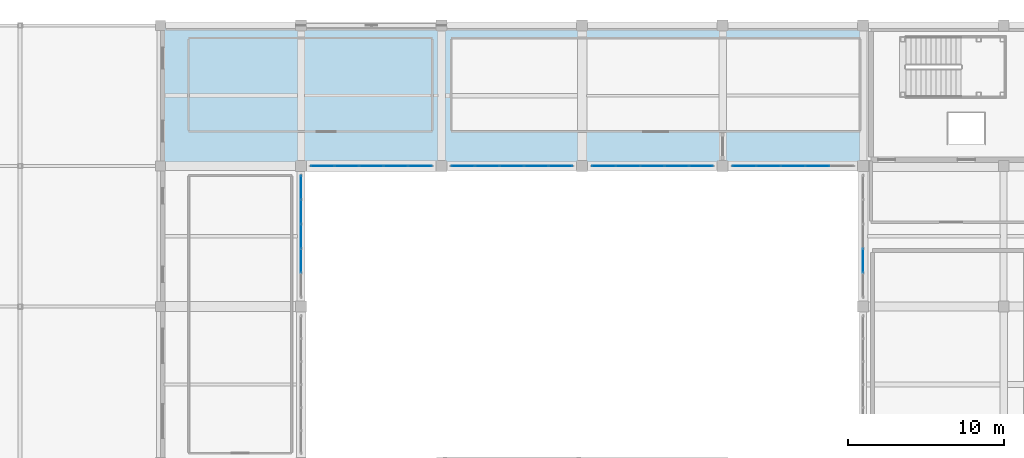
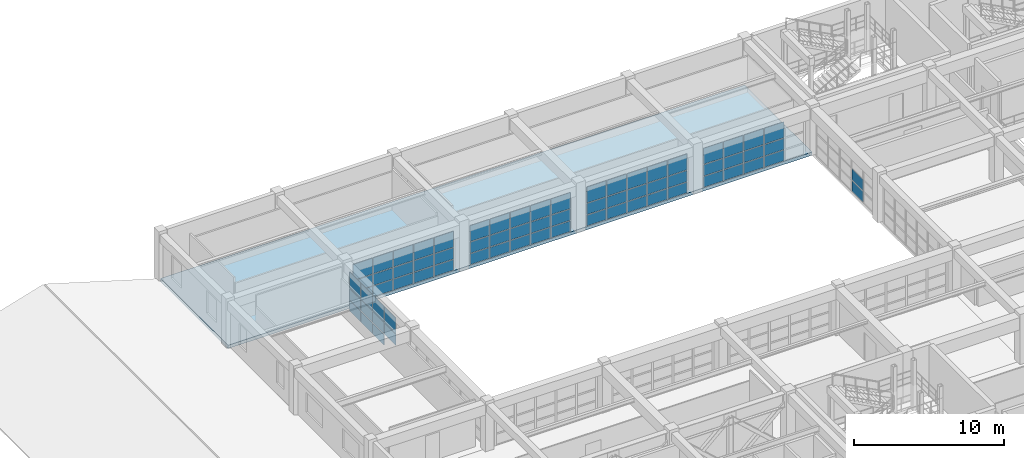
# One storey, part 96 of 130: 70 plates, 1 slab, 6 elements without a shape of their own.
"""IFC4 building model written with IfcOpenShell, lengths in metres."""

from ifc_helpers import new_model, si_unit, direction, frame, origin, origin_2d, place, context, subcontext, project, spatial, polyline, rectangle, outline, extrude, material, layer, layer_set, type_object, element, aggregate, save


model = new_model("IFC4")

# Units and contexts
model_context = context("Model", 3, precision=1e-05, world=origin(), true_north=direction((0.0, 1.0)))
body_context = subcontext(model_context, "Body", "Model", "MODEL_VIEW")
ifc_project = project(units=[si_unit("LENGTHUNIT", "METRE"), si_unit("AREAUNIT", "SQUARE_METRE"), si_unit("VOLUMEUNIT", "CUBIC_METRE"), si_unit("PLANEANGLEUNIT", "RADIAN"), si_unit("MASSUNIT", "GRAM", prefix="KILO")], contexts=[model_context])

# Site, building, storey
site_placement = place(None, origin())
site = spatial("IfcSite", under=ifc_project, at=site_placement, CompositionType="ELEMENT")
building_placement = place(site_placement, origin())
building = spatial("IfcBuilding", under=site, at=building_placement, Name="Miravela Opera House", CompositionType="ELEMENT")
storey_placement = place(building_placement, frame((0.0, 0.0, 9.52001953125)))
storey = spatial("IfcBuildingStorey", under=building, at=storey_placement, Name="L02", CompositionType="ELEMENT", Elevation=9.52001953125)

# Curtain wall, plates
ifc_material_1 = material(Name="Anodised architectural bronze aluminium 6063-T6", Category="aluminium")
curtain_wall_type = type_object("IfcCurtainWallType", Name="ARC-CW-05", PredefinedType="NOTDEFINED", material=ifc_material_1)
curtain_wall_1_placement = place(storey_placement, origin())
curtain_wall_1 = element("IfcCurtainWall", 1, at=curtain_wall_1_placement, inside=storey, type_object=curtain_wall_type, Name="Courtyard Arcade Curtain Wall CW-L02-090", PredefinedType="NOTDEFINED")
ifc_material_2 = material(Name="Acoustic laminated low-E insulating glass", Category="glass")
ifc_layer_1 = layer(ifc_material_2, 0.028076171875)
ifc_layer_set_1 = layer_set([ifc_layer_1])
plate_type = type_object("IfcPlateType", Name="ARC-CWP-28", PredefinedType="CURTAIN_PANEL", material=ifc_layer_set_1)
plate_1_placement = place(storey_placement, frame((28.37890625, 103.0, 0.06005859375), z_axis=(0.0, 0.0, 1.0), x_axis=(1.0, 0.0, 0.0)))
plate_1 = element("IfcPlate", 2, at=plate_1_placement, type_object=plate_type, Name="CW-05 panel 1.1", PredefinedType="CURTAIN_PANEL", context=body_context, shape_type="SweptSolid", body=[
    extrude(rectangle(XDim=1.47802734375, YDim=0.028076171875, at=origin_2d()), origin(), (0.0, 0.0, 1.0), 0.860107421875),
])
plate_2_placement = place(storey_placement, frame((28.37890625, 103.0, 0.97998046875), z_axis=(0.0, 0.0, 1.0), x_axis=(1.0, 0.0, 0.0)))
plate_2 = element("IfcPlate", 3, at=plate_2_placement, type_object=plate_type, Name="CW-05 panel 1.2", PredefinedType="CURTAIN_PANEL", context=body_context, shape_type="SweptSolid", body=[
    extrude(rectangle(XDim=1.47802734375, YDim=0.028076171875, at=origin_2d()), origin(), (0.0, 0.0, 1.0), 0.898193359375),
])
plate_3_placement = place(storey_placement, frame((28.37890625, 103.0, 1.93798828125), z_axis=(0.0, 0.0, 1.0), x_axis=(1.0, 0.0, 0.0)))
plate_3 = element("IfcPlate", 4, at=plate_3_placement, type_object=plate_type, Name="CW-05 panel 1.3", PredefinedType="CURTAIN_PANEL", context=body_context, shape_type="SweptSolid", body=[
    extrude(rectangle(XDim=1.47802734375, YDim=0.028076171875, at=origin_2d()), origin(), (0.0, 0.0, 1.0), 1.291748046875),
])
plate_4_placement = place(storey_placement, frame((29.931884765625, 103.0, 0.06005859375), z_axis=(0.0, 0.0, 1.0), x_axis=(1.0, 0.0, 0.0)))
plate_4 = element("IfcPlate", 5, at=plate_4_placement, type_object=plate_type, Name="CW-05 panel 2.1", PredefinedType="CURTAIN_PANEL", context=body_context, shape_type="SweptSolid", body=[
    extrude(rectangle(XDim=1.508056640625, YDim=0.028076171875, at=origin_2d()), origin(), (0.0, 0.0, 1.0), 0.860107421875),
])
plate_5_placement = place(storey_placement, frame((29.931884765625, 103.0, 0.97998046875), z_axis=(0.0, 0.0, 1.0), x_axis=(1.0, 0.0, 0.0)))
plate_5 = element("IfcPlate", 6, at=plate_5_placement, type_object=plate_type, Name="CW-05 panel 2.2", PredefinedType="CURTAIN_PANEL", context=body_context, shape_type="SweptSolid", body=[
    extrude(rectangle(XDim=1.508056640625, YDim=0.028076171875, at=origin_2d()), origin(), (0.0, 0.0, 1.0), 0.898193359375),
])
plate_6_placement = place(storey_placement, frame((29.931884765625, 103.0, 1.93798828125), z_axis=(0.0, 0.0, 1.0), x_axis=(1.0, 0.0, 0.0)))
plate_6 = element("IfcPlate", 7, at=plate_6_placement, type_object=plate_type, Name="CW-05 panel 2.3", PredefinedType="CURTAIN_PANEL", context=body_context, shape_type="SweptSolid", body=[
    extrude(rectangle(XDim=1.508056640625, YDim=0.028076171875, at=origin_2d()), origin(), (0.0, 0.0, 1.0), 1.291748046875),
])
plate_7_placement = place(storey_placement, frame((31.5, 103.0, 0.06005859375), z_axis=(0.0, 0.0, 1.0), x_axis=(1.0, 0.0, 0.0)))
plate_7 = element("IfcPlate", 8, at=plate_7_placement, type_object=plate_type, Name="CW-05 panel 3.1", PredefinedType="CURTAIN_PANEL", context=body_context, shape_type="SweptSolid", body=[
    extrude(rectangle(XDim=1.508056640625, YDim=0.028076171875, at=origin_2d()), origin(), (0.0, 0.0, 1.0), 0.860107421875),
])
plate_8_placement = place(storey_placement, frame((31.5, 103.0, 0.97998046875), z_axis=(0.0, 0.0, 1.0), x_axis=(1.0, 0.0, 0.0)))
plate_8 = element("IfcPlate", 9, at=plate_8_placement, type_object=plate_type, Name="CW-05 panel 3.2", PredefinedType="CURTAIN_PANEL", context=body_context, shape_type="SweptSolid", body=[
    extrude(rectangle(XDim=1.508056640625, YDim=0.028076171875, at=origin_2d()), origin(), (0.0, 0.0, 1.0), 0.898193359375),
])
plate_9_placement = place(storey_placement, frame((31.5, 103.0, 1.93798828125), z_axis=(0.0, 0.0, 1.0), x_axis=(1.0, 0.0, 0.0)))
plate_9 = element("IfcPlate", 10, at=plate_9_placement, type_object=plate_type, Name="CW-05 panel 3.3", PredefinedType="CURTAIN_PANEL", context=body_context, shape_type="SweptSolid", body=[
    extrude(rectangle(XDim=1.508056640625, YDim=0.028076171875, at=origin_2d()), origin(), (0.0, 0.0, 1.0), 1.291748046875),
])
plate_10_placement = place(storey_placement, frame((33.068115234375, 103.0, 0.06005859375), z_axis=(0.0, 0.0, 1.0), x_axis=(1.0, 0.0, 0.0)))
plate_10 = element("IfcPlate", 11, at=plate_10_placement, type_object=plate_type, Name="CW-05 panel 4.1", PredefinedType="CURTAIN_PANEL", context=body_context, shape_type="SweptSolid", body=[
    extrude(rectangle(XDim=1.508056640625, YDim=0.028076171875, at=origin_2d()), origin(), (0.0, 0.0, 1.0), 0.860107421875),
])
plate_11_placement = place(storey_placement, frame((33.068115234375, 103.0, 0.97998046875), z_axis=(0.0, 0.0, 1.0), x_axis=(1.0, 0.0, 0.0)))
plate_11 = element("IfcPlate", 12, at=plate_11_placement, type_object=plate_type, Name="CW-05 panel 4.2", PredefinedType="CURTAIN_PANEL", context=body_context, shape_type="SweptSolid", body=[
    extrude(rectangle(XDim=1.508056640625, YDim=0.028076171875, at=origin_2d()), origin(), (0.0, 0.0, 1.0), 0.898193359375),
])
plate_12_placement = place(storey_placement, frame((33.068115234375, 103.0, 1.93798828125), z_axis=(0.0, 0.0, 1.0), x_axis=(1.0, 0.0, 0.0)))
plate_12 = element("IfcPlate", 13, at=plate_12_placement, type_object=plate_type, Name="CW-05 panel 4.3", PredefinedType="CURTAIN_PANEL", context=body_context, shape_type="SweptSolid", body=[
    extrude(rectangle(XDim=1.508056640625, YDim=0.028076171875, at=origin_2d()), origin(), (0.0, 0.0, 1.0), 1.291748046875),
])
plate_13_placement = place(storey_placement, frame((34.62109375, 103.0, 0.06005859375), z_axis=(0.0, 0.0, 1.0), x_axis=(1.0, 0.0, 0.0)))
plate_13 = element("IfcPlate", 14, at=plate_13_placement, type_object=plate_type, Name="CW-05 panel 5.1", PredefinedType="CURTAIN_PANEL", context=body_context, shape_type="SweptSolid", body=[
    extrude(rectangle(XDim=1.47802734375, YDim=0.028076171875, at=origin_2d()), origin(), (0.0, 0.0, 1.0), 0.860107421875),
])
plate_14_placement = place(storey_placement, frame((34.62109375, 103.0, 0.97998046875), z_axis=(0.0, 0.0, 1.0), x_axis=(1.0, 0.0, 0.0)))
plate_14 = element("IfcPlate", 15, at=plate_14_placement, type_object=plate_type, Name="CW-05 panel 5.2", PredefinedType="CURTAIN_PANEL", context=body_context, shape_type="SweptSolid", body=[
    extrude(rectangle(XDim=1.47802734375, YDim=0.028076171875, at=origin_2d()), origin(), (0.0, 0.0, 1.0), 0.898193359375),
])
plate_15_placement = place(storey_placement, frame((34.62109375, 103.0, 1.93798828125), z_axis=(0.0, 0.0, 1.0), x_axis=(1.0, 0.0, 0.0)))
plate_15 = element("IfcPlate", 16, at=plate_15_placement, type_object=plate_type, Name="CW-05 panel 5.3", PredefinedType="CURTAIN_PANEL", context=body_context, shape_type="SweptSolid", body=[
    extrude(rectangle(XDim=1.47802734375, YDim=0.028076171875, at=origin_2d()), origin(), (0.0, 0.0, 1.0), 1.291748046875),
])
aggregate(curtain_wall_1, [plate_1, plate_2, plate_3, plate_4, plate_5, plate_6, plate_7, plate_8, plate_9, plate_10, plate_11, plate_12, plate_13, plate_14, plate_15])

curtain_wall_2_placement = place(storey_placement, origin())
curtain_wall_2 = element("IfcCurtainWall", 17, at=curtain_wall_2_placement, inside=storey, type_object=curtain_wall_type, Name="Courtyard Arcade Curtain Wall CW-L02-092", PredefinedType="NOTDEFINED")
plate_16_placement = place(storey_placement, frame((37.37890625, 103.0, 0.06005859375), z_axis=(0.0, 0.0, 1.0), x_axis=(1.0, 0.0, 0.0)))
plate_16 = element("IfcPlate", 18, at=plate_16_placement, type_object=plate_type, Name="CW-05 panel 1.1", PredefinedType="CURTAIN_PANEL", context=body_context, shape_type="SweptSolid", body=[
    extrude(rectangle(XDim=1.47802734375, YDim=0.028076171875, at=origin_2d()), origin(), (0.0, 0.0, 1.0), 0.860107421875),
])
plate_17_placement = place(storey_placement, frame((37.37890625, 103.0, 0.97998046875), z_axis=(0.0, 0.0, 1.0), x_axis=(1.0, 0.0, 0.0)))
plate_17 = element("IfcPlate", 19, at=plate_17_placement, type_object=plate_type, Name="CW-05 panel 1.2", PredefinedType="CURTAIN_PANEL", context=body_context, shape_type="SweptSolid", body=[
    extrude(rectangle(XDim=1.47802734375, YDim=0.028076171875, at=origin_2d()), origin(), (0.0, 0.0, 1.0), 0.898193359375),
])
plate_18_placement = place(storey_placement, frame((37.37890625, 103.0, 1.93798828125), z_axis=(0.0, 0.0, 1.0), x_axis=(1.0, 0.0, 0.0)))
plate_18 = element("IfcPlate", 20, at=plate_18_placement, type_object=plate_type, Name="CW-05 panel 1.3", PredefinedType="CURTAIN_PANEL", context=body_context, shape_type="SweptSolid", body=[
    extrude(rectangle(XDim=1.47802734375, YDim=0.028076171875, at=origin_2d()), origin(), (0.0, 0.0, 1.0), 1.291748046875),
])
plate_19_placement = place(storey_placement, frame((38.931884765625, 103.0, 0.06005859375), z_axis=(0.0, 0.0, 1.0), x_axis=(1.0, 0.0, 0.0)))
plate_19 = element("IfcPlate", 21, at=plate_19_placement, type_object=plate_type, Name="CW-05 panel 2.1", PredefinedType="CURTAIN_PANEL", context=body_context, shape_type="SweptSolid", body=[
    extrude(rectangle(XDim=1.508056640625, YDim=0.028076171875, at=origin_2d()), origin(), (0.0, 0.0, 1.0), 0.860107421875),
])
plate_20_placement = place(storey_placement, frame((38.931884765625, 103.0, 0.97998046875), z_axis=(0.0, 0.0, 1.0), x_axis=(1.0, 0.0, 0.0)))
plate_20 = element("IfcPlate", 22, at=plate_20_placement, type_object=plate_type, Name="CW-05 panel 2.2", PredefinedType="CURTAIN_PANEL", context=body_context, shape_type="SweptSolid", body=[
    extrude(rectangle(XDim=1.508056640625, YDim=0.028076171875, at=origin_2d()), origin(), (0.0, 0.0, 1.0), 0.898193359375),
])
plate_21_placement = place(storey_placement, frame((38.931884765625, 103.0, 1.93798828125), z_axis=(0.0, 0.0, 1.0), x_axis=(1.0, 0.0, 0.0)))
plate_21 = element("IfcPlate", 23, at=plate_21_placement, type_object=plate_type, Name="CW-05 panel 2.3", PredefinedType="CURTAIN_PANEL", context=body_context, shape_type="SweptSolid", body=[
    extrude(rectangle(XDim=1.508056640625, YDim=0.028076171875, at=origin_2d()), origin(), (0.0, 0.0, 1.0), 1.291748046875),
])
plate_22_placement = place(storey_placement, frame((40.5, 103.0, 0.06005859375), z_axis=(0.0, 0.0, 1.0), x_axis=(1.0, 0.0, 0.0)))
plate_22 = element("IfcPlate", 24, at=plate_22_placement, type_object=plate_type, Name="CW-05 panel 3.1", PredefinedType="CURTAIN_PANEL", context=body_context, shape_type="SweptSolid", body=[
    extrude(rectangle(XDim=1.508056640625, YDim=0.028076171875, at=origin_2d()), origin(), (0.0, 0.0, 1.0), 0.860107421875),
])
plate_23_placement = place(storey_placement, frame((40.5, 103.0, 0.97998046875), z_axis=(0.0, 0.0, 1.0), x_axis=(1.0, 0.0, 0.0)))
plate_23 = element("IfcPlate", 25, at=plate_23_placement, type_object=plate_type, Name="CW-05 panel 3.2", PredefinedType="CURTAIN_PANEL", context=body_context, shape_type="SweptSolid", body=[
    extrude(rectangle(XDim=1.508056640625, YDim=0.028076171875, at=origin_2d()), origin(), (0.0, 0.0, 1.0), 0.898193359375),
])
plate_24_placement = place(storey_placement, frame((40.5, 103.0, 1.93798828125), z_axis=(0.0, 0.0, 1.0), x_axis=(1.0, 0.0, 0.0)))
plate_24 = element("IfcPlate", 26, at=plate_24_placement, type_object=plate_type, Name="CW-05 panel 3.3", PredefinedType="CURTAIN_PANEL", context=body_context, shape_type="SweptSolid", body=[
    extrude(rectangle(XDim=1.508056640625, YDim=0.028076171875, at=origin_2d()), origin(), (0.0, 0.0, 1.0), 1.291748046875),
])
plate_25_placement = place(storey_placement, frame((42.068115234375, 103.0, 0.06005859375), z_axis=(0.0, 0.0, 1.0), x_axis=(1.0, 0.0, 0.0)))
plate_25 = element("IfcPlate", 27, at=plate_25_placement, type_object=plate_type, Name="CW-05 panel 4.1", PredefinedType="CURTAIN_PANEL", context=body_context, shape_type="SweptSolid", body=[
    extrude(rectangle(XDim=1.508056640625, YDim=0.028076171875, at=origin_2d()), origin(), (0.0, 0.0, 1.0), 0.860107421875),
])
plate_26_placement = place(storey_placement, frame((42.068115234375, 103.0, 0.97998046875), z_axis=(0.0, 0.0, 1.0), x_axis=(1.0, 0.0, 0.0)))
plate_26 = element("IfcPlate", 28, at=plate_26_placement, type_object=plate_type, Name="CW-05 panel 4.2", PredefinedType="CURTAIN_PANEL", context=body_context, shape_type="SweptSolid", body=[
    extrude(rectangle(XDim=1.508056640625, YDim=0.028076171875, at=origin_2d()), origin(), (0.0, 0.0, 1.0), 0.898193359375),
])
plate_27_placement = place(storey_placement, frame((42.068115234375, 103.0, 1.93798828125), z_axis=(0.0, 0.0, 1.0), x_axis=(1.0, 0.0, 0.0)))
plate_27 = element("IfcPlate", 29, at=plate_27_placement, type_object=plate_type, Name="CW-05 panel 4.3", PredefinedType="CURTAIN_PANEL", context=body_context, shape_type="SweptSolid", body=[
    extrude(rectangle(XDim=1.508056640625, YDim=0.028076171875, at=origin_2d()), origin(), (0.0, 0.0, 1.0), 1.291748046875),
])
plate_28_placement = place(storey_placement, frame((43.62109375, 103.0, 0.06005859375), z_axis=(0.0, 0.0, 1.0), x_axis=(1.0, 0.0, 0.0)))
plate_28 = element("IfcPlate", 30, at=plate_28_placement, type_object=plate_type, Name="CW-05 panel 5.1", PredefinedType="CURTAIN_PANEL", context=body_context, shape_type="SweptSolid", body=[
    extrude(rectangle(XDim=1.47802734375, YDim=0.028076171875, at=origin_2d()), origin(), (0.0, 0.0, 1.0), 0.860107421875),
])
plate_29_placement = place(storey_placement, frame((43.62109375, 103.0, 0.97998046875), z_axis=(0.0, 0.0, 1.0), x_axis=(1.0, 0.0, 0.0)))
plate_29 = element("IfcPlate", 31, at=plate_29_placement, type_object=plate_type, Name="CW-05 panel 5.2", PredefinedType="CURTAIN_PANEL", context=body_context, shape_type="SweptSolid", body=[
    extrude(rectangle(XDim=1.47802734375, YDim=0.028076171875, at=origin_2d()), origin(), (0.0, 0.0, 1.0), 0.898193359375),
])
plate_30_placement = place(storey_placement, frame((43.62109375, 103.0, 1.93798828125), z_axis=(0.0, 0.0, 1.0), x_axis=(1.0, 0.0, 0.0)))
plate_30 = element("IfcPlate", 32, at=plate_30_placement, type_object=plate_type, Name="CW-05 panel 5.3", PredefinedType="CURTAIN_PANEL", context=body_context, shape_type="SweptSolid", body=[
    extrude(rectangle(XDim=1.47802734375, YDim=0.028076171875, at=origin_2d()), origin(), (0.0, 0.0, 1.0), 1.291748046875),
])
aggregate(curtain_wall_2, [plate_16, plate_17, plate_18, plate_19, plate_20, plate_21, plate_22, plate_23, plate_24, plate_25, plate_26, plate_27, plate_28, plate_29, plate_30])

curtain_wall_3_placement = place(storey_placement, origin())
curtain_wall_3 = element("IfcCurtainWall", 33, at=curtain_wall_3_placement, inside=storey, type_object=curtain_wall_type, Name="Courtyard Arcade Curtain Wall CW-L02-094", PredefinedType="NOTDEFINED")
plate_31_placement = place(storey_placement, frame((46.37890625, 103.0, 0.06005859375), z_axis=(0.0, 0.0, 1.0), x_axis=(1.0, 0.0, 0.0)))
plate_31 = element("IfcPlate", 34, at=plate_31_placement, type_object=plate_type, Name="CW-05 panel 1.1", PredefinedType="CURTAIN_PANEL", context=body_context, shape_type="SweptSolid", body=[
    extrude(rectangle(XDim=1.47802734375, YDim=0.028076171875, at=origin_2d()), origin(), (0.0, 0.0, 1.0), 0.860107421875),
])
plate_32_placement = place(storey_placement, frame((46.37890625, 103.0, 0.97998046875), z_axis=(0.0, 0.0, 1.0), x_axis=(1.0, 0.0, 0.0)))
plate_32 = element("IfcPlate", 35, at=plate_32_placement, type_object=plate_type, Name="CW-05 panel 1.2", PredefinedType="CURTAIN_PANEL", context=body_context, shape_type="SweptSolid", body=[
    extrude(rectangle(XDim=1.47802734375, YDim=0.028076171875, at=origin_2d()), origin(), (0.0, 0.0, 1.0), 0.898193359375),
])
plate_33_placement = place(storey_placement, frame((46.37890625, 103.0, 1.93798828125), z_axis=(0.0, 0.0, 1.0), x_axis=(1.0, 0.0, 0.0)))
plate_33 = element("IfcPlate", 36, at=plate_33_placement, type_object=plate_type, Name="CW-05 panel 1.3", PredefinedType="CURTAIN_PANEL", context=body_context, shape_type="SweptSolid", body=[
    extrude(rectangle(XDim=1.47802734375, YDim=0.028076171875, at=origin_2d()), origin(), (0.0, 0.0, 1.0), 1.291748046875),
])
plate_34_placement = place(storey_placement, frame((47.931884765625, 103.0, 0.06005859375), z_axis=(0.0, 0.0, 1.0), x_axis=(1.0, 0.0, 0.0)))
plate_34 = element("IfcPlate", 37, at=plate_34_placement, type_object=plate_type, Name="CW-05 panel 2.1", PredefinedType="CURTAIN_PANEL", context=body_context, shape_type="SweptSolid", body=[
    extrude(rectangle(XDim=1.508056640625, YDim=0.028076171875, at=origin_2d()), origin(), (0.0, 0.0, 1.0), 0.860107421875),
])
plate_35_placement = place(storey_placement, frame((47.931884765625, 103.0, 0.97998046875), z_axis=(0.0, 0.0, 1.0), x_axis=(1.0, 0.0, 0.0)))
plate_35 = element("IfcPlate", 38, at=plate_35_placement, type_object=plate_type, Name="CW-05 panel 2.2", PredefinedType="CURTAIN_PANEL", context=body_context, shape_type="SweptSolid", body=[
    extrude(rectangle(XDim=1.508056640625, YDim=0.028076171875, at=origin_2d()), origin(), (0.0, 0.0, 1.0), 0.898193359375),
])
plate_36_placement = place(storey_placement, frame((47.931884765625, 103.0, 1.93798828125), z_axis=(0.0, 0.0, 1.0), x_axis=(1.0, 0.0, 0.0)))
plate_36 = element("IfcPlate", 39, at=plate_36_placement, type_object=plate_type, Name="CW-05 panel 2.3", PredefinedType="CURTAIN_PANEL", context=body_context, shape_type="SweptSolid", body=[
    extrude(rectangle(XDim=1.508056640625, YDim=0.028076171875, at=origin_2d()), origin(), (0.0, 0.0, 1.0), 1.291748046875),
])
plate_37_placement = place(storey_placement, frame((49.5, 103.0, 0.06005859375), z_axis=(0.0, 0.0, 1.0), x_axis=(1.0, 0.0, 0.0)))
plate_37 = element("IfcPlate", 40, at=plate_37_placement, type_object=plate_type, Name="CW-05 panel 3.1", PredefinedType="CURTAIN_PANEL", context=body_context, shape_type="SweptSolid", body=[
    extrude(rectangle(XDim=1.508056640625, YDim=0.028076171875, at=origin_2d()), origin(), (0.0, 0.0, 1.0), 0.860107421875),
])
plate_38_placement = place(storey_placement, frame((49.5, 103.0, 0.97998046875), z_axis=(0.0, 0.0, 1.0), x_axis=(1.0, 0.0, 0.0)))
plate_38 = element("IfcPlate", 41, at=plate_38_placement, type_object=plate_type, Name="CW-05 panel 3.2", PredefinedType="CURTAIN_PANEL", context=body_context, shape_type="SweptSolid", body=[
    extrude(rectangle(XDim=1.508056640625, YDim=0.028076171875, at=origin_2d()), origin(), (0.0, 0.0, 1.0), 0.898193359375),
])
plate_39_placement = place(storey_placement, frame((49.5, 103.0, 1.93798828125), z_axis=(0.0, 0.0, 1.0), x_axis=(1.0, 0.0, 0.0)))
plate_39 = element("IfcPlate", 42, at=plate_39_placement, type_object=plate_type, Name="CW-05 panel 3.3", PredefinedType="CURTAIN_PANEL", context=body_context, shape_type="SweptSolid", body=[
    extrude(rectangle(XDim=1.508056640625, YDim=0.028076171875, at=origin_2d()), origin(), (0.0, 0.0, 1.0), 1.291748046875),
])
plate_40_placement = place(storey_placement, frame((51.068115234375, 103.0, 0.06005859375), z_axis=(0.0, 0.0, 1.0), x_axis=(1.0, 0.0, 0.0)))
plate_40 = element("IfcPlate", 43, at=plate_40_placement, type_object=plate_type, Name="CW-05 panel 4.1", PredefinedType="CURTAIN_PANEL", context=body_context, shape_type="SweptSolid", body=[
    extrude(rectangle(XDim=1.508056640625, YDim=0.028076171875, at=origin_2d()), origin(), (0.0, 0.0, 1.0), 0.860107421875),
])
plate_41_placement = place(storey_placement, frame((51.068115234375, 103.0, 0.97998046875), z_axis=(0.0, 0.0, 1.0), x_axis=(1.0, 0.0, 0.0)))
plate_41 = element("IfcPlate", 44, at=plate_41_placement, type_object=plate_type, Name="CW-05 panel 4.2", PredefinedType="CURTAIN_PANEL", context=body_context, shape_type="SweptSolid", body=[
    extrude(rectangle(XDim=1.508056640625, YDim=0.028076171875, at=origin_2d()), origin(), (0.0, 0.0, 1.0), 0.898193359375),
])
plate_42_placement = place(storey_placement, frame((51.068115234375, 103.0, 1.93798828125), z_axis=(0.0, 0.0, 1.0), x_axis=(1.0, 0.0, 0.0)))
plate_42 = element("IfcPlate", 45, at=plate_42_placement, type_object=plate_type, Name="CW-05 panel 4.3", PredefinedType="CURTAIN_PANEL", context=body_context, shape_type="SweptSolid", body=[
    extrude(rectangle(XDim=1.508056640625, YDim=0.028076171875, at=origin_2d()), origin(), (0.0, 0.0, 1.0), 1.291748046875),
])
plate_43_placement = place(storey_placement, frame((52.62109375, 103.0, 0.06005859375), z_axis=(0.0, 0.0, 1.0), x_axis=(1.0, 0.0, 0.0)))
plate_43 = element("IfcPlate", 46, at=plate_43_placement, type_object=plate_type, Name="CW-05 panel 5.1", PredefinedType="CURTAIN_PANEL", context=body_context, shape_type="SweptSolid", body=[
    extrude(rectangle(XDim=1.47802734375, YDim=0.028076171875, at=origin_2d()), origin(), (0.0, 0.0, 1.0), 0.860107421875),
])
plate_44_placement = place(storey_placement, frame((52.62109375, 103.0, 0.97998046875), z_axis=(0.0, 0.0, 1.0), x_axis=(1.0, 0.0, 0.0)))
plate_44 = element("IfcPlate", 47, at=plate_44_placement, type_object=plate_type, Name="CW-05 panel 5.2", PredefinedType="CURTAIN_PANEL", context=body_context, shape_type="SweptSolid", body=[
    extrude(rectangle(XDim=1.47802734375, YDim=0.028076171875, at=origin_2d()), origin(), (0.0, 0.0, 1.0), 0.898193359375),
])
plate_45_placement = place(storey_placement, frame((52.62109375, 103.0, 1.93798828125), z_axis=(0.0, 0.0, 1.0), x_axis=(1.0, 0.0, 0.0)))
plate_45 = element("IfcPlate", 48, at=plate_45_placement, type_object=plate_type, Name="CW-05 panel 5.3", PredefinedType="CURTAIN_PANEL", context=body_context, shape_type="SweptSolid", body=[
    extrude(rectangle(XDim=1.47802734375, YDim=0.028076171875, at=origin_2d()), origin(), (0.0, 0.0, 1.0), 1.291748046875),
])
aggregate(curtain_wall_3, [plate_31, plate_32, plate_33, plate_34, plate_35, plate_36, plate_37, plate_38, plate_39, plate_40, plate_41, plate_42, plate_43, plate_44, plate_45])

curtain_wall_4_placement = place(storey_placement, origin())
curtain_wall_4 = element("IfcCurtainWall", 49, at=curtain_wall_4_placement, inside=storey, type_object=curtain_wall_type, Name="Courtyard Arcade Curtain Wall CW-L02-096", PredefinedType="NOTDEFINED")
plate_46_placement = place(storey_placement, frame((55.37890625, 103.0, 0.06005859375), z_axis=(0.0, 0.0, 1.0), x_axis=(1.0, 0.0, 0.0)))
plate_46 = element("IfcPlate", 50, at=plate_46_placement, type_object=plate_type, Name="CW-05 panel 1.1", PredefinedType="CURTAIN_PANEL", context=body_context, shape_type="SweptSolid", body=[
    extrude(rectangle(XDim=1.47802734375, YDim=0.028076171875, at=origin_2d()), origin(), (0.0, 0.0, 1.0), 0.860107421875),
])
plate_47_placement = place(storey_placement, frame((55.37890625, 103.0, 0.97998046875), z_axis=(0.0, 0.0, 1.0), x_axis=(1.0, 0.0, 0.0)))
plate_47 = element("IfcPlate", 51, at=plate_47_placement, type_object=plate_type, Name="CW-05 panel 1.2", PredefinedType="CURTAIN_PANEL", context=body_context, shape_type="SweptSolid", body=[
    extrude(rectangle(XDim=1.47802734375, YDim=0.028076171875, at=origin_2d()), origin(), (0.0, 0.0, 1.0), 0.898193359375),
])
plate_48_placement = place(storey_placement, frame((55.37890625, 103.0, 1.93798828125), z_axis=(0.0, 0.0, 1.0), x_axis=(1.0, 0.0, 0.0)))
plate_48 = element("IfcPlate", 52, at=plate_48_placement, type_object=plate_type, Name="CW-05 panel 1.3", PredefinedType="CURTAIN_PANEL", context=body_context, shape_type="SweptSolid", body=[
    extrude(rectangle(XDim=1.47802734375, YDim=0.028076171875, at=origin_2d()), origin(), (0.0, 0.0, 1.0), 1.291748046875),
])
plate_49_placement = place(storey_placement, frame((56.931884765625, 103.0, 0.06005859375), z_axis=(0.0, 0.0, 1.0), x_axis=(1.0, 0.0, 0.0)))
plate_49 = element("IfcPlate", 53, at=plate_49_placement, type_object=plate_type, Name="CW-05 panel 2.1", PredefinedType="CURTAIN_PANEL", context=body_context, shape_type="SweptSolid", body=[
    extrude(rectangle(XDim=1.508056640625, YDim=0.028076171875, at=origin_2d()), origin(), (0.0, 0.0, 1.0), 0.860107421875),
])
plate_50_placement = place(storey_placement, frame((56.931884765625, 103.0, 0.97998046875), z_axis=(0.0, 0.0, 1.0), x_axis=(1.0, 0.0, 0.0)))
plate_50 = element("IfcPlate", 54, at=plate_50_placement, type_object=plate_type, Name="CW-05 panel 2.2", PredefinedType="CURTAIN_PANEL", context=body_context, shape_type="SweptSolid", body=[
    extrude(rectangle(XDim=1.508056640625, YDim=0.028076171875, at=origin_2d()), origin(), (0.0, 0.0, 1.0), 0.898193359375),
])
plate_51_placement = place(storey_placement, frame((56.931884765625, 103.0, 1.93798828125), z_axis=(0.0, 0.0, 1.0), x_axis=(1.0, 0.0, 0.0)))
plate_51 = element("IfcPlate", 55, at=plate_51_placement, type_object=plate_type, Name="CW-05 panel 2.3", PredefinedType="CURTAIN_PANEL", context=body_context, shape_type="SweptSolid", body=[
    extrude(rectangle(XDim=1.508056640625, YDim=0.028076171875, at=origin_2d()), origin(), (0.0, 0.0, 1.0), 1.291748046875),
])
plate_52_placement = place(storey_placement, frame((58.5, 103.0, 0.06005859375), z_axis=(0.0, 0.0, 1.0), x_axis=(1.0, 0.0, 0.0)))
plate_52 = element("IfcPlate", 56, at=plate_52_placement, type_object=plate_type, Name="CW-05 panel 3.1", PredefinedType="CURTAIN_PANEL", context=body_context, shape_type="SweptSolid", body=[
    extrude(rectangle(XDim=1.508056640625, YDim=0.028076171875, at=origin_2d()), origin(), (0.0, 0.0, 1.0), 0.860107421875),
])
plate_53_placement = place(storey_placement, frame((58.5, 103.0, 0.97998046875), z_axis=(0.0, 0.0, 1.0), x_axis=(1.0, 0.0, 0.0)))
plate_53 = element("IfcPlate", 57, at=plate_53_placement, type_object=plate_type, Name="CW-05 panel 3.2", PredefinedType="CURTAIN_PANEL", context=body_context, shape_type="SweptSolid", body=[
    extrude(rectangle(XDim=1.508056640625, YDim=0.028076171875, at=origin_2d()), origin(), (0.0, 0.0, 1.0), 0.898193359375),
])
plate_54_placement = place(storey_placement, frame((58.5, 103.0, 1.93798828125), z_axis=(0.0, 0.0, 1.0), x_axis=(1.0, 0.0, 0.0)))
plate_54 = element("IfcPlate", 58, at=plate_54_placement, type_object=plate_type, Name="CW-05 panel 3.3", PredefinedType="CURTAIN_PANEL", context=body_context, shape_type="SweptSolid", body=[
    extrude(rectangle(XDim=1.508056640625, YDim=0.028076171875, at=origin_2d()), origin(), (0.0, 0.0, 1.0), 1.291748046875),
])
plate_55_placement = place(storey_placement, frame((60.068115234375, 103.0, 0.06005859375), z_axis=(0.0, 0.0, 1.0), x_axis=(1.0, 0.0, 0.0)))
plate_55 = element("IfcPlate", 59, at=plate_55_placement, type_object=plate_type, Name="CW-05 panel 4.1", PredefinedType="CURTAIN_PANEL", context=body_context, shape_type="SweptSolid", body=[
    extrude(rectangle(XDim=1.508056640625, YDim=0.028076171875, at=origin_2d()), origin(), (0.0, 0.0, 1.0), 0.860107421875),
])
plate_56_placement = place(storey_placement, frame((60.068115234375, 103.0, 0.97998046875), z_axis=(0.0, 0.0, 1.0), x_axis=(1.0, 0.0, 0.0)))
plate_56 = element("IfcPlate", 60, at=plate_56_placement, type_object=plate_type, Name="CW-05 panel 4.2", PredefinedType="CURTAIN_PANEL", context=body_context, shape_type="SweptSolid", body=[
    extrude(rectangle(XDim=1.508056640625, YDim=0.028076171875, at=origin_2d()), origin(), (0.0, 0.0, 1.0), 0.898193359375),
])
plate_57_placement = place(storey_placement, frame((60.068115234375, 103.0, 1.93798828125), z_axis=(0.0, 0.0, 1.0), x_axis=(1.0, 0.0, 0.0)))
plate_57 = element("IfcPlate", 61, at=plate_57_placement, type_object=plate_type, Name="CW-05 panel 4.3", PredefinedType="CURTAIN_PANEL", context=body_context, shape_type="SweptSolid", body=[
    extrude(rectangle(XDim=1.508056640625, YDim=0.028076171875, at=origin_2d()), origin(), (0.0, 0.0, 1.0), 1.291748046875),
])
aggregate(curtain_wall_4, [plate_46, plate_47, plate_48, plate_49, plate_50, plate_51, plate_52, plate_53, plate_54, plate_55, plate_56, plate_57])

curtain_wall_5_placement = place(storey_placement, origin())
curtain_wall_5 = element("IfcCurtainWall", 62, at=curtain_wall_5_placement, inside=storey, type_object=curtain_wall_type, Name="Courtyard Arcade Curtain Wall CW-L02-098", PredefinedType="NOTDEFINED")
plate_58_placement = place(storey_placement, frame((27.0, 96.931884765625, 0.97998046875), z_axis=(0.0, 0.0, 1.0), x_axis=(0.0, 1.0, 0.0)))
plate_58 = element("IfcPlate", 63, at=plate_58_placement, type_object=plate_type, Name="CW-05 panel 2.2", PredefinedType="CURTAIN_PANEL", context=body_context, shape_type="SweptSolid", body=[
    extrude(rectangle(XDim=1.508056640625, YDim=0.028076171875, at=origin_2d()), origin(), (0.0, 0.0, 1.0), 0.898193359375),
])
plate_59_placement = place(storey_placement, frame((27.0, 96.931884765625, 1.93798828125), z_axis=(0.0, 0.0, 1.0), x_axis=(0.0, 1.0, 0.0)))
plate_59 = element("IfcPlate", 64, at=plate_59_placement, type_object=plate_type, Name="CW-05 panel 2.3", PredefinedType="CURTAIN_PANEL", context=body_context, shape_type="SweptSolid", body=[
    extrude(rectangle(XDim=1.508056640625, YDim=0.028076171875, at=origin_2d()), origin(), (0.0, 0.0, 1.0), 1.291748046875),
])
plate_60_placement = place(storey_placement, frame((27.0, 98.5, 0.06005859375), z_axis=(0.0, 0.0, 1.0), x_axis=(0.0, 1.0, 0.0)))
plate_60 = element("IfcPlate", 65, at=plate_60_placement, type_object=plate_type, Name="CW-05 panel 3.1", PredefinedType="CURTAIN_PANEL", context=body_context, shape_type="SweptSolid", body=[
    extrude(rectangle(XDim=1.508056640625, YDim=0.028076171875, at=origin_2d()), origin(), (0.0, 0.0, 1.0), 0.860107421875),
])
plate_61_placement = place(storey_placement, frame((27.0, 98.5, 0.97998046875), z_axis=(0.0, 0.0, 1.0), x_axis=(0.0, 1.0, 0.0)))
plate_61 = element("IfcPlate", 66, at=plate_61_placement, type_object=plate_type, Name="CW-05 panel 3.2", PredefinedType="CURTAIN_PANEL", context=body_context, shape_type="SweptSolid", body=[
    extrude(rectangle(XDim=1.508056640625, YDim=0.028076171875, at=origin_2d()), origin(), (0.0, 0.0, 1.0), 0.898193359375),
])
plate_62_placement = place(storey_placement, frame((27.0, 98.5, 1.93798828125), z_axis=(0.0, 0.0, 1.0), x_axis=(0.0, 1.0, 0.0)))
plate_62 = element("IfcPlate", 67, at=plate_62_placement, type_object=plate_type, Name="CW-05 panel 3.3", PredefinedType="CURTAIN_PANEL", context=body_context, shape_type="SweptSolid", body=[
    extrude(rectangle(XDim=1.508056640625, YDim=0.028076171875, at=origin_2d()), origin(), (0.0, 0.0, 1.0), 1.291748046875),
])
plate_63_placement = place(storey_placement, frame((27.0, 100.068115234375, 0.06005859375), z_axis=(0.0, 0.0, 1.0), x_axis=(0.0, 1.0, 0.0)))
plate_63 = element("IfcPlate", 68, at=plate_63_placement, type_object=plate_type, Name="CW-05 panel 4.1", PredefinedType="CURTAIN_PANEL", context=body_context, shape_type="SweptSolid", body=[
    extrude(rectangle(XDim=1.508056640625, YDim=0.028076171875, at=origin_2d()), origin(), (0.0, 0.0, 1.0), 0.860107421875),
])
plate_64_placement = place(storey_placement, frame((27.0, 100.068115234375, 0.97998046875), z_axis=(0.0, 0.0, 1.0), x_axis=(0.0, 1.0, 0.0)))
plate_64 = element("IfcPlate", 69, at=plate_64_placement, type_object=plate_type, Name="CW-05 panel 4.2", PredefinedType="CURTAIN_PANEL", context=body_context, shape_type="SweptSolid", body=[
    extrude(rectangle(XDim=1.508056640625, YDim=0.028076171875, at=origin_2d()), origin(), (0.0, 0.0, 1.0), 0.898193359375),
])
plate_65_placement = place(storey_placement, frame((27.0, 100.068115234375, 1.93798828125), z_axis=(0.0, 0.0, 1.0), x_axis=(0.0, 1.0, 0.0)))
plate_65 = element("IfcPlate", 70, at=plate_65_placement, type_object=plate_type, Name="CW-05 panel 4.3", PredefinedType="CURTAIN_PANEL", context=body_context, shape_type="SweptSolid", body=[
    extrude(rectangle(XDim=1.508056640625, YDim=0.028076171875, at=origin_2d()), origin(), (0.0, 0.0, 1.0), 1.291748046875),
])
plate_66_placement = place(storey_placement, frame((27.0, 101.62109375, 0.06005859375), z_axis=(0.0, 0.0, 1.0), x_axis=(0.0, 1.0, 0.0)))
plate_66 = element("IfcPlate", 71, at=plate_66_placement, type_object=plate_type, Name="CW-05 panel 5.1", PredefinedType="CURTAIN_PANEL", context=body_context, shape_type="SweptSolid", body=[
    extrude(rectangle(XDim=1.47802734375, YDim=0.028076171875, at=origin_2d()), origin(), (0.0, 0.0, 1.0), 0.860107421875),
])
plate_67_placement = place(storey_placement, frame((27.0, 101.62109375, 0.97998046875), z_axis=(0.0, 0.0, 1.0), x_axis=(0.0, 1.0, 0.0)))
plate_67 = element("IfcPlate", 72, at=plate_67_placement, type_object=plate_type, Name="CW-05 panel 5.2", PredefinedType="CURTAIN_PANEL", context=body_context, shape_type="SweptSolid", body=[
    extrude(rectangle(XDim=1.47802734375, YDim=0.028076171875, at=origin_2d()), origin(), (0.0, 0.0, 1.0), 0.898193359375),
])
plate_68_placement = place(storey_placement, frame((27.0, 101.62109375, 1.93798828125), z_axis=(0.0, 0.0, 1.0), x_axis=(0.0, 1.0, 0.0)))
plate_68 = element("IfcPlate", 73, at=plate_68_placement, type_object=plate_type, Name="CW-05 panel 5.3", PredefinedType="CURTAIN_PANEL", context=body_context, shape_type="SweptSolid", body=[
    extrude(rectangle(XDim=1.47802734375, YDim=0.028076171875, at=origin_2d()), origin(), (0.0, 0.0, 1.0), 1.291748046875),
])
aggregate(curtain_wall_5, [plate_58, plate_59, plate_60, plate_61, plate_62, plate_63, plate_64, plate_65, plate_66, plate_67, plate_68])

curtain_wall_6_placement = place(storey_placement, origin())
curtain_wall_6 = element("IfcCurtainWall", 74, at=curtain_wall_6_placement, inside=storey, type_object=curtain_wall_type, Name="Courtyard Arcade Curtain Wall CW-L02-100", PredefinedType="NOTDEFINED")
plate_69_placement = place(storey_placement, frame((63.0, 96.931884765625, 0.06005859375), z_axis=(0.0, 0.0, 1.0), x_axis=(0.0, 1.0, 0.0)))
plate_69 = element("IfcPlate", 75, at=plate_69_placement, type_object=plate_type, Name="CW-05 panel 2.1", PredefinedType="CURTAIN_PANEL", context=body_context, shape_type="SweptSolid", body=[
    extrude(rectangle(XDim=1.508056640625, YDim=0.028076171875, at=origin_2d()), origin(), (0.0, 0.0, 1.0), 0.860107421875),
])
plate_70_placement = place(storey_placement, frame((63.0, 96.931884765625, 0.97998046875), z_axis=(0.0, 0.0, 1.0), x_axis=(0.0, 1.0, 0.0)))
plate_70 = element("IfcPlate", 76, at=plate_70_placement, type_object=plate_type, Name="CW-05 panel 2.2", PredefinedType="CURTAIN_PANEL", context=body_context, shape_type="SweptSolid", body=[
    extrude(rectangle(XDim=1.508056640625, YDim=0.028076171875, at=origin_2d()), origin(), (0.0, 0.0, 1.0), 0.898193359375),
])
aggregate(curtain_wall_6, [plate_69, plate_70])

# Slab
ifc_material_3 = material(Name="Concrete C40/50", Category="concrete")
ifc_layer_2 = layer(ifc_material_3, 0.260009765625)
ifc_layer_set_2 = layer_set([ifc_layer_2])
slab_type = type_object("IfcSlabType", Name="STR-SLAB-XFER-260", PredefinedType="FLOOR", material=ifc_layer_set_2)
slab_placement = place(storey_placement, frame((0.0, 0.0, -0.260009765625)))
element("IfcSlab", 77, at=slab_placement, inside=storey, type_object=slab_type, Name="Level L02 Floor Slab SLAB-L02-V3N", PredefinedType="FLOOR", context=body_context, shape_type="SweptSolid", body=[
    extrude(outline(polyline([(18.0, 103.0), (63.0, 103.0), (63.0, 112.0), (18.0, 112.0), (18.0, 103.0)])), origin(), (0.0, 0.0, 1.0), 0.260009765625),
])

save(model, "model.ifc")
